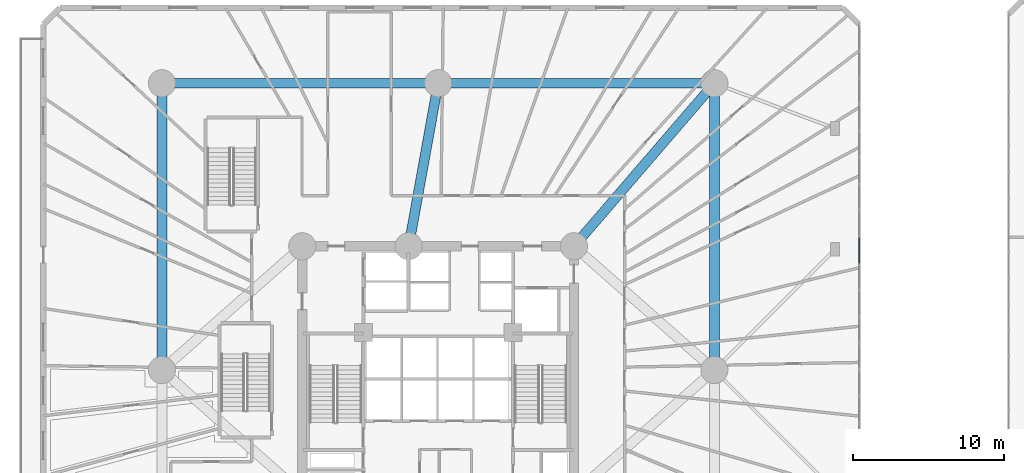
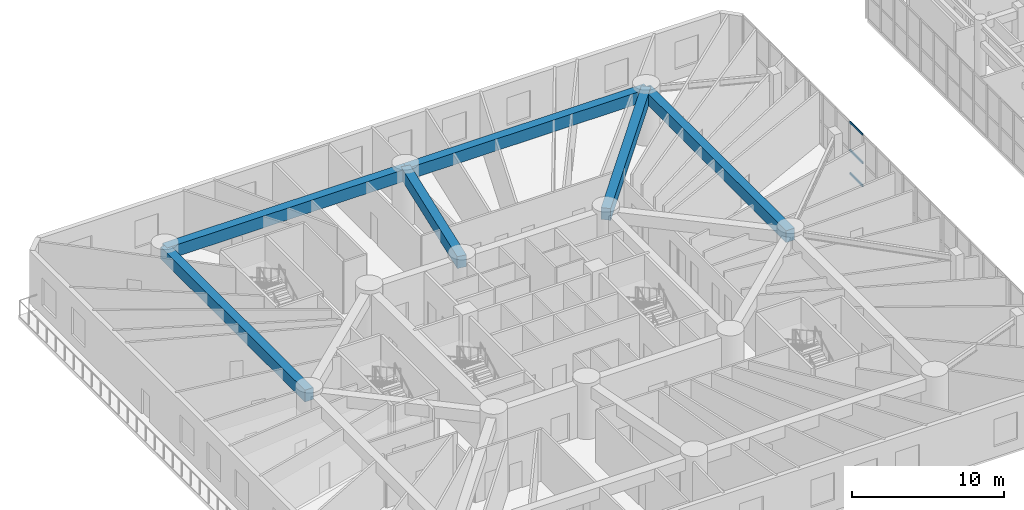
# One storey, part 4 of 26: 6 beams, 3 members, 1 element without a shape of its own.
"""IFC4 building model written with IfcOpenShell, lengths in metres."""

from ifc_helpers import new_model, si_unit, direction, frame, origin, origin_with_axes, origin_2d, place, context, subcontext, project, spatial, rectangle, extrude, source, transform, mapped, material, layer, layer_set, material_profile, profile_set, type_object, element, aggregate, save


model = new_model("IFC4")

# Units and contexts
model_context = context("Model", 3, precision=1e-05, world=origin(), true_north=direction((0.0, 1.0)))
body_context = subcontext(model_context, "Body", "Model", "MODEL_VIEW")
ifc_project = project(units=[si_unit("LENGTHUNIT", "METRE"), si_unit("AREAUNIT", "SQUARE_METRE"), si_unit("VOLUMEUNIT", "CUBIC_METRE"), si_unit("PLANEANGLEUNIT", "RADIAN"), si_unit("MASSUNIT", "GRAM", prefix="KILO")], contexts=[model_context])

# Site, building, storey
site_placement = place(None, origin())
site = spatial("IfcSite", under=ifc_project, at=site_placement, CompositionType="ELEMENT")
building_placement = place(site_placement, origin())
building = spatial("IfcBuilding", under=site, at=building_placement, Name="Karkom Vertical University and Central Library", CompositionType="ELEMENT")
storey_placement = place(building_placement, frame((0.0, 0.0, 4.5)))
storey = spatial("IfcBuildingStorey", under=building, at=storey_placement, Name="L01", CompositionType="ELEMENT", Elevation=4.5)

# Beams
ifc_material_1 = material(Name="Concrete C50/60", Category="concrete")
ifc_material_profile_1 = material_profile(ifc_material_1, rectangle(XDim=0.64990234375, YDim=0.949951171875, at=origin_2d()), Name="RCG-650x950")
ifc_profile_set_1 = profile_set([ifc_material_profile_1], Name="Concrete C50/60")
beam_type = type_object("IfcBeamType", Name="STR-BM-BG-1", PredefinedType="USERDEFINED", material=ifc_profile_set_1)
shared_shape_1 = source(origin_with_axes(), body_context, "Body", "SweptSolid", [
    extrude(rectangle(XDim=0.64990234375, YDim=0.949951171875, at=origin_2d()), origin(), (0.0, 0.0, 1.0), 18.300048828125),
])
for number, where, z_axis, x_axis, name in (
    (1, (10.199951171875, 45.5, 3.72509765625), (1.0, 0.0, 0.0), (0.0, 1.0, 0.0), "Level 01 Podium Primary Girder 07"),
    (2, (28.5, 45.5, 3.72509765625), (1.0, 0.0, 0.0), (0.0, 1.0, 0.0), "Level 01 Podium Primary Girder 08"),
):
    element("IfcBeam", number, at=place(storey_placement, frame(where, z_axis=z_axis, x_axis=x_axis)), inside=storey, type_object=beam_type, Name=name, ObjectType="GIRDER", PredefinedType="USERDEFINED", context=body_context, shape_type="MappedRepresentation", body=[
        mapped(shared_shape_1, transform((0.0, 0.0, 0.0), scale=1.0)),
    ])
shared_shape_2 = source(origin_with_axes(), body_context, "Body", "SweptSolid", [
    extrude(rectangle(XDim=0.64990234375, YDim=0.949951171875, at=origin_2d()), origin(), (0.0, 0.0, 1.0), 19.0),
])
for number, where, z_axis, x_axis, name in (
    (3, (10.199951171875, 26.5, 3.72509765625), (0.0, 1.0, 0.0), (-1.0, 0.0, 0.0), "Level 01 Podium Primary Girder 04"),
    (4, (46.800048828125, 26.5, 3.72509765625), (0.0, 1.0, 0.0), (-1.0, 0.0, 0.0), "Level 01 Podium Primary Girder 06"),
):
    element("IfcBeam", number, at=place(storey_placement, frame(where, z_axis=z_axis, x_axis=x_axis)), inside=storey, type_object=beam_type, Name=name, ObjectType="GIRDER", PredefinedType="USERDEFINED", context=body_context, shape_type="MappedRepresentation", body=[
        mapped(shared_shape_2, transform((0.0, 0.0, 0.0), scale=1.0)),
    ])
shared_shape_3 = source(origin_with_axes(), body_context, "Body", "SweptSolid", [
    extrude(rectangle(XDim=0.64990234375, YDim=0.949951171875, at=origin_2d()), origin(), (0.0, 0.0, 1.0), 14.25244140625),
])
beam_1_placement = place(storey_placement, frame((46.800048828125, 45.5, 3.72509765625), z_axis=(-0.652523408586, -0.757768567076, 0.0), x_axis=(0.757768567076, -0.652523408586, 0.0)))
element("IfcBeam", 5, at=beam_1_placement, inside=storey, type_object=beam_type, Name="Level 01 Podium Primary Girder 14", ObjectType="GIRDER", PredefinedType="USERDEFINED", context=body_context, shape_type="MappedRepresentation", body=[
    mapped(shared_shape_3, transform((0.0, 0.0, 0.0), scale=1.0)),
])
shared_shape_4 = source(origin_with_axes(), body_context, "Body", "SweptSolid", [
    extrude(rectangle(XDim=0.64990234375, YDim=0.949951171875, at=origin_2d()), origin(), (0.0, 0.0, 1.0), 10.974609375),
])
beam_2_placement = place(storey_placement, frame((28.5, 45.5, 3.72509765625), z_axis=(-0.177677443813, -0.984088779511, 0.0), x_axis=(0.984088779511, -0.177677443813, 0.0)))
element("IfcBeam", 6, at=beam_2_placement, inside=storey, type_object=beam_type, Name="Level 01 Podium Primary Girder 13", ObjectType="GIRDER", PredefinedType="USERDEFINED", context=body_context, shape_type="MappedRepresentation", body=[
    mapped(shared_shape_4, transform((0.0, 0.0, 0.0), scale=1.0)),
])

# Curtain wall, members
ifc_material_2 = material(Name="Aluminium curtain-wall framing and low-E IGU", Category="aluminium")
ifc_layer = layer(ifc_material_2, 0.199951171875)
ifc_layer_set = layer_set([ifc_layer], Name="Aluminium curtain-wall framing and low-E IGU")
curtain_wall_type = type_object("IfcCurtainWallType", Name="ENV-CW-3", PredefinedType="USERDEFINED", material=ifc_layer_set)
curtain_wall_placement = place(storey_placement, origin())
curtain_wall = element("IfcCurtainWall", 7, at=curtain_wall_placement, inside=storey, type_object=curtain_wall_type, Name="Level 01 CW-3 Curtain Wall Level 01-CW3-3-2", ObjectType="STICK MULLION GLAZING", PredefinedType="USERDEFINED")
ifc_material_3 = material(Name="Anodised Aluminium 6063-T6", Category="aluminium")
ifc_material_profile_2 = material_profile(ifc_material_3, rectangle(XDim=0.074951171875, YDim=0.1650390625, at=origin_2d()), Name="ALU-T75x165")
ifc_profile_set_2 = profile_set([ifc_material_profile_2], Name="Anodised Aluminium 6063-T6")
member_type = type_object("IfcMemberType", Name="ENV-MEM-ALU-T75x165", PredefinedType="USERDEFINED", material=ifc_profile_set_2)
shared_shape_5 = source(origin_with_axes(), body_context, "Body", "SweptSolid", [
    extrude(rectangle(XDim=0.074951171875, YDim=0.1650390625, at=origin_2d()), origin(), (0.0, 0.0, 1.0), 1.6865234375),
])
member_1_placement = place(storey_placement, frame((56.39990234375, 33.583740234375, 0.03759765625), z_axis=(0.0, 1.0, 0.0), x_axis=(-1.0, 0.0, 0.0)))
member_1 = element("IfcMember", 8, at=member_1_placement, type_object=member_type, Name="CW-3 transom 5.1", ObjectType="TRANSOM", PredefinedType="USERDEFINED", context=body_context, shape_type="MappedRepresentation", body=[
    mapped(shared_shape_5, transform((0.0, 0.0, 0.0), scale=1.0)),
])
member_2_placement = place(storey_placement, frame((56.39990234375, 33.583740234375, 1.889892578125), z_axis=(0.0, 1.0, 0.0), x_axis=(-1.0, 0.0, 0.0)))
member_2 = element("IfcMember", 9, at=member_2_placement, type_object=member_type, Name="CW-3 transom 5.2", ObjectType="TRANSOM", PredefinedType="USERDEFINED", context=body_context, shape_type="MappedRepresentation", body=[
    mapped(shared_shape_5, transform((0.0, 0.0, 0.0), scale=1.0)),
])
member_3_placement = place(storey_placement, frame((56.39990234375, 33.583740234375, 4.16259765625), z_axis=(0.0, 1.0, 0.0), x_axis=(-1.0, 0.0, 0.0)))
member_3 = element("IfcMember", 10, at=member_3_placement, type_object=member_type, Name="CW-3 transom 5.3", ObjectType="TRANSOM", PredefinedType="USERDEFINED", context=body_context, shape_type="MappedRepresentation", body=[
    mapped(shared_shape_5, transform((0.0, 0.0, 0.0), scale=1.0)),
])
aggregate(curtain_wall, [member_1, member_2, member_3])

save(model, "model.ifc")
